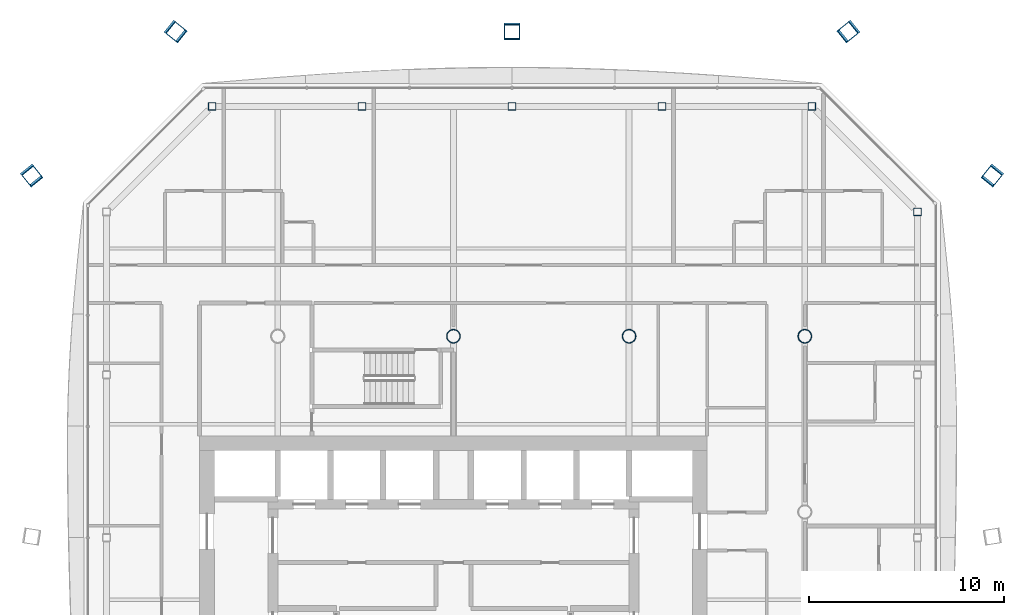
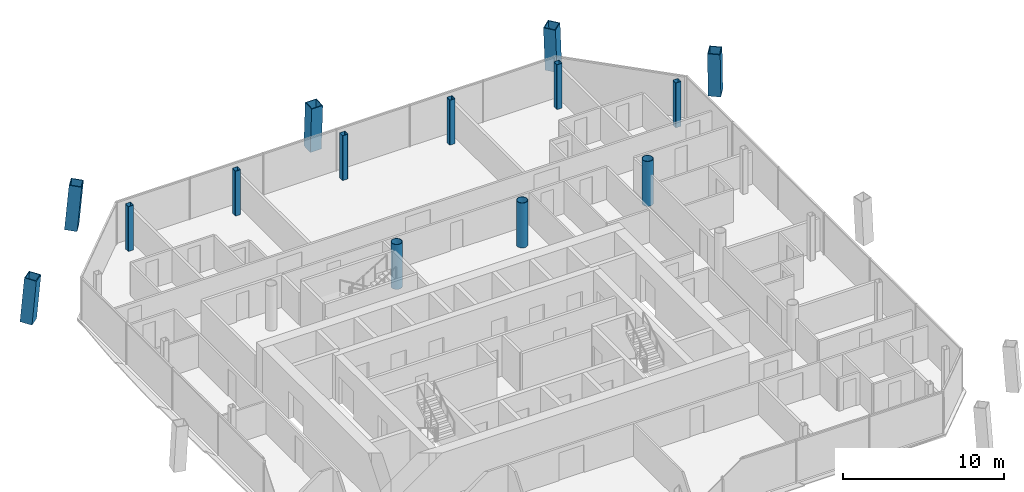
# One storey, part 3 of 18: 14 columns.
"""IFC4 building model written with IfcOpenShell, lengths in metres."""

import ifcopenshell
import ifcopenshell.guid

model = None  # the IFC model being written
_history = None  # IfcOwnerHistory: only IFC2X3 demands one
_inside = {}  # id of a spatial element -> (the spatial element, [elements in it])
_under = {}  # id of a project, library or spatial element -> (it, [spatial elements below it])
_declared = {}  # id of a project -> (the project, [libraries it declares])
_typed = {}  # id of a type object -> (the type object, [elements of that type])
_made_of = {}  # id of a material, layer set ... -> (it, [elements and type objects made of it])


def new_model(schema):
    """Start an empty IFC model of exactly this schema.

    Asked for "IFC4X3", IfcOpenShell would pick the latest addendum, in which some entities
    have other attributes; the version numbers below select the first issue.
    IFC2X3 requires an IfcOwnerHistory on every rooted entity: one is made here for all.
    """
    global model, _history
    if schema == "IFC4X3":
        model = ifcopenshell.file(schema_version=(4, 3, 0, 0))
    else:
        model = ifcopenshell.file(schema=schema)
    _inside.clear()
    _under.clear()
    _declared.clear()
    _typed.clear()
    _made_of.clear()
    _history = None
    if model.schema == "IFC2X3":
        org = make("IfcOrganization", Name="unknown")
        user = make(
            "IfcPersonAndOrganization",
            ThePerson=make("IfcPerson", FamilyName="unknown"),
            TheOrganization=org,
        )
        app = make(
            "IfcApplication",
            ApplicationDeveloper=org,
            Version="unknown",
            ApplicationFullName="unknown",
            ApplicationIdentifier="unknown",
        )
        _history = make(
            "IfcOwnerHistory",
            OwningUser=user,
            OwningApplication=app,
            ChangeAction="ADDED",
            CreationDate=0,
        )
    return model


def make(cls, **values):
    """One entity of the class cls with the attributes given. An attribute that is None is left unset."""
    return model.create_entity(
        cls, **{name: value for name, value in values.items() if value is not None}
    )


def rooted(cls, **values):
    """An entity with a GlobalId (a new one), such as an element, a storey or a relation."""
    return make(cls, GlobalId=ifcopenshell.guid.new(), OwnerHistory=_history, **values)


def si_unit(unit_type, name, prefix=None):
    """IfcSIUnit, for example si_unit("LENGTHUNIT", "METRE", prefix="MILLI")."""
    return make("IfcSIUnit", UnitType=unit_type, Prefix=prefix, Name=name)


def assignment(units):
    """IfcUnitAssignment: the units of a project."""
    return None if units is None else make("IfcUnitAssignment", Units=units)


def point(xyz):
    """IfcCartesianPoint."""
    return None if xyz is None else make("IfcCartesianPoint", Coordinates=xyz)


def direction(xyz):
    """IfcDirection."""
    return None if xyz is None else make("IfcDirection", DirectionRatios=xyz)


def frame(location, z_axis=None, x_axis=None):
    """IfcAxis2Placement3D, a coordinate frame: its origin and axes. An axis left out is left unset."""
    return make(
        "IfcAxis2Placement3D",
        Location=point(location),
        Axis=direction(z_axis),
        RefDirection=direction(x_axis),
    )


def frame_2d(location, x_axis=None):
    """IfcAxis2Placement2D, a coordinate frame in the plane: its origin and x axis."""
    return make(
        "IfcAxis2Placement2D", Location=point(location), RefDirection=direction(x_axis)
    )


def origin():
    """The frame at (0, 0, 0) with its axes left unset."""
    return frame((0.0, 0.0, 0.0))


def origin_2d():
    """The frame at (0, 0) in the plane with its x axis left unset."""
    return frame_2d((0.0, 0.0))


def place(relative_to, where):
    """IfcLocalPlacement: puts the frame where relative to a parent placement (None: the world)."""
    return make(
        "IfcLocalPlacement", PlacementRelTo=relative_to, RelativePlacement=where
    )


def context(
    kind, dimensions, precision=None, world=None, true_north=None, identifier=None
):
    """IfcGeometricRepresentationContext, for example the 3D "Model" context."""
    return make(
        "IfcGeometricRepresentationContext",
        ContextIdentifier=identifier,
        ContextType=kind,
        CoordinateSpaceDimension=dimensions,
        Precision=precision,
        WorldCoordinateSystem=world,
        TrueNorth=true_north,
    )


def subcontext(parent, identifier, kind, view, scale=None):
    """IfcGeometricRepresentationSubContext, for example "Body" below "Model"."""
    return make(
        "IfcGeometricRepresentationSubContext",
        ContextIdentifier=identifier,
        ContextType=kind,
        ParentContext=parent,
        TargetScale=scale,
        TargetView=view,
    )


def project(units=None, contexts=None):
    """IfcProject with its units and contexts."""
    return rooted(
        "IfcProject",
        Name="project",
        RepresentationContexts=contexts,
        UnitsInContext=assignment(units),
    )


def spatial(cls, under=None, at=None, **own):
    """A site, building, storey or space (cls), placed at a placement, below another one or the project."""
    s = rooted(cls, ObjectPlacement=at, **own)
    if under is not None:
        _under.setdefault(under.id(), (under, []))[1].append(s)
    return s


def profile(cls, at=None, kind="AREA", **sizes):
    """A parametric profile (cls). Its sizes go by their IFC names, for example OverallWidth=200.0."""
    return make(cls, ProfileType=kind, Position=at, **sizes)


def hollow_rectangle(**sizes):
    """IfcRectangleHollowProfileDef."""
    return profile("IfcRectangleHollowProfileDef", **sizes)


def hollow_circle(**sizes):
    """IfcCircleHollowProfileDef."""
    return profile("IfcCircleHollowProfileDef", **sizes)


def extrude(swept, where, along, depth):
    """IfcExtrudedAreaSolid: the profile swept, set in the frame where, extruded along a direction by depth."""
    return make(
        "IfcExtrudedAreaSolid",
        SweptArea=swept,
        Position=where,
        ExtrudedDirection=direction(along),
        Depth=depth,
    )


def shape(context_of_items, identifier, shape_type, items):
    """IfcShapeRepresentation: the items that make up one representation, for example the "Body"."""
    return make(
        "IfcShapeRepresentation",
        ContextOfItems=context_of_items,
        RepresentationIdentifier=identifier,
        RepresentationType=shape_type,
        Items=items,
    )


def material(Name=None, Category=None):
    """IfcMaterial."""
    return make("IfcMaterial", Name=Name, Category=Category)


def material_profile(
    of_material, cross_section, Name=None, Category=None, Priority=None
):
    """IfcMaterialProfile: a cross section and its material."""
    return make(
        "IfcMaterialProfile",
        Name=Name,
        Material=of_material,
        Profile=cross_section,
        Priority=Priority,
        Category=Category,
    )


def profile_set(profiles, Name=None, composite=None):
    """IfcMaterialProfileSet."""
    return make(
        "IfcMaterialProfileSet",
        Name=Name,
        MaterialProfiles=profiles,
        CompositeProfile=composite,
    )


def made_of(thing, what):
    """Note that an element or type object is made of a material, layer set ...; save() writes the relation."""
    if what is not None:
        _made_of.setdefault(what.id(), (what, []))[1].append(thing)
    return thing


def type_object(cls, material=None, **own):
    """A type object (cls), such as IfcWallType, which elements share."""
    return made_of(rooted(cls, **own), material)


def element(
    cls,
    number,
    at=None,
    inside=None,
    cuts=None,
    type_object=None,
    material=None,
    context=None,
    identifier="Body",
    shape_type=None,
    held_by="IfcProductDefinitionShape",
    body=None,
    shapes=None,
    **own,
):
    """One element of the class cls, such as IfcWall. Its Tag is "e" and its number.

    at: its placement. inside: the storey or other place that contains it. cuts: it is an
    opening in that element (IfcRelVoidsElement). A single representation is given by context,
    identifier, shape_type and body (its items); several are given by shapes. held_by: the class
    of the entity that holds the representations. save() writes the other relations.
    """
    e = rooted(cls, Tag="e%d" % number, ObjectPlacement=at, **own)
    if body is not None:
        shapes = [shape(context, identifier, shape_type, body)]
    if shapes is not None:
        e.Representation = make(held_by, Representations=shapes)
    if inside is not None:
        _inside.setdefault(inside.id(), (inside, []))[1].append(e)
    if cuts is not None:
        rooted(
            "IfcRelVoidsElement", RelatingBuildingElement=cuts, RelatedOpeningElement=e
        )
    if type_object is not None:
        _typed.setdefault(type_object.id(), (type_object, []))[1].append(e)
    return made_of(e, material)


def aggregate(whole, parts):
    """IfcRelAggregates: a whole, such as a stair, and the parts it consists of."""
    return rooted("IfcRelAggregates", RelatingObject=whole, RelatedObjects=parts)


def save(model, path):
    """Write the relations noted so far, then the file.

    IfcRelAggregates (storeys below a building ...), IfcRelContainedInSpatialStructure (elements
    in a storey), IfcRelDefinesByType, IfcRelAssociatesMaterial and IfcRelDeclares: one each for
    every whole, place, type object, material and project.
    """
    for whole, parts in _under.values():
        aggregate(whole, parts)
    for where, things in _inside.values():
        rooted(
            "IfcRelContainedInSpatialStructure",
            RelatedElements=things,
            RelatingStructure=where,
        )
    for kind, things in _typed.values():
        rooted("IfcRelDefinesByType", RelatedObjects=things, RelatingType=kind)
    for what, things in _made_of.values():
        rooted("IfcRelAssociatesMaterial", RelatedObjects=things, RelatingMaterial=what)
    for by, libraries in _declared.values():
        rooted("IfcRelDeclares", RelatingContext=by, RelatedDefinitions=libraries)
    model.write(path)


model = new_model("IFC4")

# Units and contexts
model_context = context("Model", 3, precision=1e-05, world=origin(), true_north=direction((0.0, 1.0)))
body_context = subcontext(model_context, "Body", "Model", "MODEL_VIEW")
ifc_project = project(units=[si_unit("LENGTHUNIT", "METRE"), si_unit("AREAUNIT", "SQUARE_METRE"), si_unit("VOLUMEUNIT", "CUBIC_METRE"), si_unit("PLANEANGLEUNIT", "RADIAN"), si_unit("MASSUNIT", "GRAM", prefix="KILO")], contexts=[model_context])

# Site, building, storey
site_placement = place(None, origin())
site = spatial("IfcSite", under=ifc_project, at=site_placement, CompositionType="ELEMENT")
building_placement = place(site_placement, origin())
building = spatial("IfcBuilding", under=site, at=building_placement, Name="Tskaro Facet Tower", CompositionType="ELEMENT")
storey_placement = place(building_placement, frame((0.0, 0.0, 155.5)))
storey = spatial("IfcBuildingStorey", under=building, at=storey_placement, Name="L38", CompositionType="ELEMENT", Elevation=155.5)

# Columns
ifc_material_1 = material(Name="Steel S460M", Category="steel")
ifc_material_profile_1 = material_profile(ifc_material_1, hollow_rectangle(XDim=0.800048828125, YDim=0.800048828125, WallThickness=0.050048828125, at=origin_2d()), Name="BOX 800x800x50")
ifc_profile_set_1 = profile_set([ifc_material_profile_1], Name="Steel S460M")
column_type_1 = type_object("IfcColumnType", Name="BOX 800x800x50 mega column", PredefinedType="COLUMN", material=ifc_profile_set_1)
for number, where, z_axis, x_axis, name in (
    (1, (27.64111328125, 17.27197265625, 0.0), (-0.053374636978, -0.066253235712, 0.996374255431), (0.778731084135, -0.627357871236, 0.0), "BOX 800x800x50 MC06/3"),
    (2, (20.27197265625, 24.64111328125, 0.0), (-0.066253235712, -0.053374636978, 0.996374255431), (0.627357871236, -0.778731084135, 0.0), "BOX 800x800x50 MC07/3"),
):
    element("IfcColumn", number, at=place(storey_placement, frame(where, z_axis=z_axis, x_axis=x_axis)), inside=storey, type_object=column_type_1, Name=name, PredefinedType="COLUMN", context=body_context, shape_type="SweptSolid", body=[
        extrude(hollow_rectangle(XDim=0.800048828125, YDim=0.800048828125, WallThickness=0.050048828125, at=origin_2d()), origin(), (0.0, 0.0, 1.0), 3.412353515625),
    ])
column_placement = place(storey_placement, frame((3.0, 24.64111328125, 0.0), z_axis=(0.0, -0.053492167796, 0.998568269066), x_axis=(1.0, 0.0, 0.0)))
element("IfcColumn", 3, at=column_placement, inside=storey, type_object=column_type_1, Name="BOX 800x800x50 MC08/3", PredefinedType="COLUMN", context=body_context, shape_type="SweptSolid", body=[
    extrude(hollow_rectangle(XDim=0.800048828125, YDim=0.800048828125, WallThickness=0.050048828125, at=origin_2d()), origin(), (0.0, 0.0, 1.0), 3.40478515625),
])
for number, where, z_axis, x_axis, name in (
    (4, (-14.27197265625, 24.64111328125, 0.0), (0.066253235712, -0.053374636978, 0.996374255431), (0.627357871236, 0.778731084135, 0.0), "BOX 800x800x50 MC09/3"),
    (5, (-21.64111328125, 17.27197265625, 0.0), (0.053374636978, -0.066253235712, 0.996374255431), (0.778731084135, 0.627357871236, 0.0), "BOX 800x800x50 MC10/3"),
):
    element("IfcColumn", number, at=place(storey_placement, frame(where, z_axis=z_axis, x_axis=x_axis)), inside=storey, type_object=column_type_1, Name=name, PredefinedType="COLUMN", context=body_context, shape_type="SweptSolid", body=[
        extrude(hollow_rectangle(XDim=0.800048828125, YDim=0.800048828125, WallThickness=0.050048828125, at=origin_2d()), origin(), (0.0, 0.0, 1.0), 3.412353515625),
    ])
ifc_material_2 = material(Name="Steel S355J2H", Category="steel")
ifc_material_profile_2 = material_profile(ifc_material_2, hollow_circle(Radius=0.35546875, WallThickness=0.031982421875, at=origin_2d()), Name="CHS 711x32")
ifc_profile_set_2 = profile_set([ifc_material_profile_2], Name="Steel S355J2H")
column_type_2 = type_object("IfcColumnType", Name="CHS 711x32 interior column", PredefinedType="COLUMN", material=ifc_profile_set_2)
for number, where, z_axis, x_axis, name in (
    (6, (0.0, 9.0, 0.0), (0.0, 0.0, 1.0), (1.0, 0.0, 0.0), "CHS 711x32 C4E/3"),
    (7, (9.0, 9.0, 0.0), (0.0, 0.0, 1.0), (1.0, 0.0, 0.0), "CHS 711x32 C5E/3"),
    (8, (18.0, 9.0, 0.0), (0.0, 0.0, 1.0), (1.0, 0.0, 0.0), "CHS 711x32 C6E/3"),
):
    element("IfcColumn", number, at=place(storey_placement, frame(where, z_axis=z_axis, x_axis=x_axis)), inside=storey, type_object=column_type_2, Name=name, PredefinedType="COLUMN", context=body_context, shape_type="SweptSolid", body=[
        extrude(hollow_circle(Radius=0.35546875, WallThickness=0.031982421875, at=origin_2d()), origin(), (0.0, 0.0, 1.0), 3.39990234375),
    ])
ifc_material_profile_3 = material_profile(ifc_material_2, hollow_rectangle(XDim=0.39990234375, YDim=0.39990234375, WallThickness=0.02001953125, InnerFilletRadius=0.030029296875, OuterFilletRadius=0.050048828125, at=origin_2d()), Name="SHS 400x400x20")
ifc_profile_set_3 = profile_set([ifc_material_profile_3], Name="Steel S355J2H")
column_type_3 = type_object("IfcColumnType", Name="SHS 400x400x20 ring column", PredefinedType="COLUMN", material=ifc_profile_set_3)
for number, where, z_axis, x_axis, name in (
    (9, (23.77392578125, 15.367919921875, 0.0), (0.0, 0.0, 1.0), (1.0, 0.0, 0.0), "SHS 400x400x20 RNE-1/3"),
    (10, (18.367919921875, 20.77392578125, 0.0), (0.0, 0.0, 1.0), (1.0, 0.0, 0.0), "SHS 400x400x20 RN-1/3"),
    (11, (10.68408203125, 20.77392578125, 0.0), (0.0, 0.0, 1.0), (1.0, 0.0, 0.0), "SHS 400x400x20 RN-2/3"),
    (12, (3.0, 20.77392578125, 0.0), (0.0, 0.0, 1.0), (1.0, 0.0, 0.0), "SHS 400x400x20 RN-3/3"),
    (13, (-4.68408203125, 20.77392578125, 0.0), (0.0, 0.0, 1.0), (1.0, 0.0, 0.0), "SHS 400x400x20 RN-4/3"),
    (14, (-12.367919921875, 20.77392578125, 0.0), (0.0, 0.0, 1.0), (1.0, 0.0, 0.0), "SHS 400x400x20 RNW-1/3"),
):
    element("IfcColumn", number, at=place(storey_placement, frame(where, z_axis=z_axis, x_axis=x_axis)), inside=storey, type_object=column_type_3, Name=name, PredefinedType="COLUMN", context=body_context, shape_type="SweptSolid", body=[
        extrude(hollow_rectangle(XDim=0.39990234375, YDim=0.39990234375, WallThickness=0.02001953125, InnerFilletRadius=0.030029296875, OuterFilletRadius=0.050048828125, at=origin_2d()), origin(), (0.0, 0.0, 1.0), 3.39990234375),
    ])

save(model, "model.ifc")
